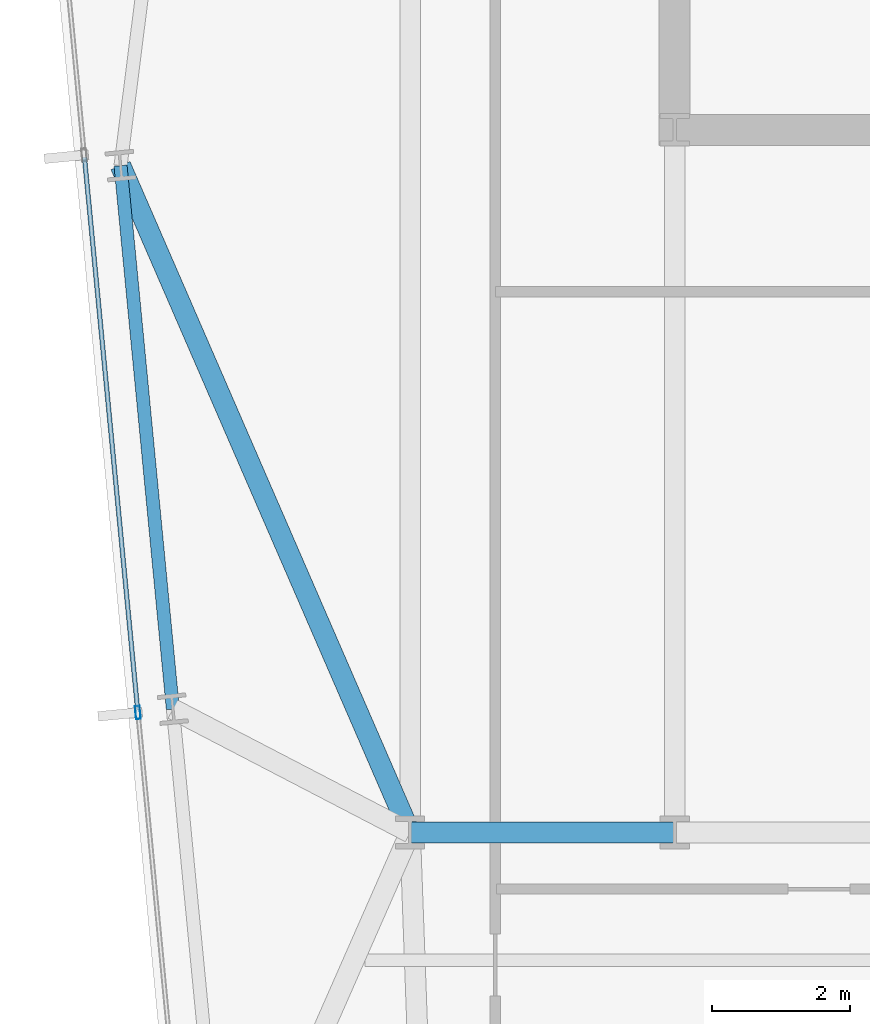
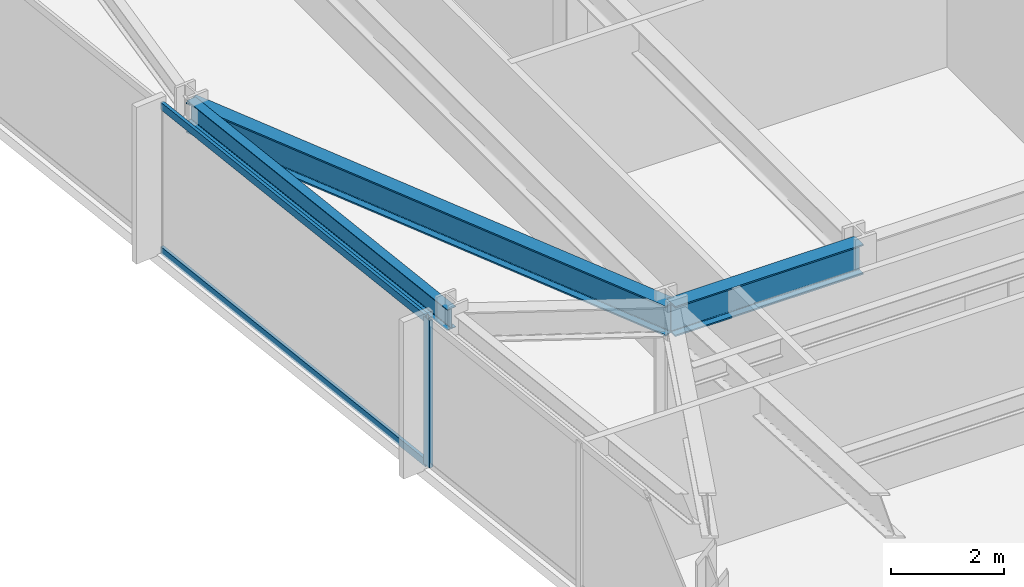
# One storey, part 6 of 32: 3 beams, 3 members, 1 element without a shape of its own.
"""IFC4 building model written with IfcOpenShell, lengths in metres."""

from ifc_helpers import new_model, si_unit, direction, frame, origin, origin_2d, place, context, subcontext, project, spatial, hollow_rectangle, i_section, extrude, material, material_profile, profile_set, type_object, element, aggregate, save


model = new_model("IFC4")

# Units and contexts
model_context = context("Model", 3, precision=1e-05, world=origin(), true_north=direction((0.0, 1.0)))
body_context = subcontext(model_context, "Body", "Model", "MODEL_VIEW")
ifc_project = project(units=[si_unit("LENGTHUNIT", "METRE"), si_unit("AREAUNIT", "SQUARE_METRE"), si_unit("VOLUMEUNIT", "CUBIC_METRE"), si_unit("PLANEANGLEUNIT", "RADIAN"), si_unit("MASSUNIT", "GRAM", prefix="KILO")], contexts=[model_context])

# Site, building, storey
site_placement = place(None, origin())
site = spatial("IfcSite", under=ifc_project, at=site_placement, CompositionType="ELEMENT")
building_placement = place(site_placement, origin())
building = spatial("IfcBuilding", under=site, at=building_placement, Name="Yelkora Congress Tower", CompositionType="ELEMENT")
storey_placement = place(building_placement, frame((0.0, 0.0, 99.89990234375)))
storey = spatial("IfcBuildingStorey", under=building, at=storey_placement, Name="L26", CompositionType="ELEMENT", Elevation=99.89990234375)

# Beams
ifc_material_1 = material(Name="Steel S355J2", Category="steel")
ifc_material_profile_1 = material_profile(ifc_material_1, i_section(OverallWidth=0.300048828125, OverallDepth=0.64990234375, WebThickness=0.01611328125, FlangeThickness=0.031005859375, FilletRadius=0.027099609375, at=origin_2d()), Name="HEB 650")
ifc_profile_set_1 = profile_set([ifc_material_profile_1], Name="Steel S355J2")
beam_type_1 = type_object("IfcBeamType", Name="BM-GIRD-HEB650", PredefinedType="BEAM", material=ifc_profile_set_1)
beam_1_placement = place(storey_placement, frame((19.199951171875, 25.199951171875, 2.85498046875), z_axis=(1.0, 0.0, 0.0), x_axis=(0.0, 1.0, 0.0)))
element("IfcBeam", 1, at=beam_1_placement, inside=storey, type_object=beam_type_1, Name="L26 Spine Grid D Girder 1", PredefinedType="BEAM", context=body_context, shape_type="SweptSolid", body=[
    extrude(i_section(OverallWidth=0.300048828125, OverallDepth=0.64990234375, WebThickness=0.01611328125, FlangeThickness=0.031005859375, FilletRadius=0.027099609375, at=origin_2d()), origin(), (0.0, 0.0, 1.0), 3.840087890625),
])
beam_2_placement = place(storey_placement, frame((14.997314453125, 34.87890625, 2.85498046875), z_axis=(0.398279362914, -0.917264165373, 0.0), x_axis=(0.917264165373, 0.398279362914, 0.0)))
element("IfcBeam", 2, at=beam_2_placement, inside=storey, type_object=beam_type_1, Name="L26 Primary Frame Girder W03", PredefinedType="BEAM", context=body_context, shape_type="SweptSolid", body=[
    extrude(i_section(OverallWidth=0.300048828125, OverallDepth=0.64990234375, WebThickness=0.01611328125, FlangeThickness=0.031005859375, FilletRadius=0.027099609375, at=origin_2d()), origin(), (0.0, 0.0, 1.0), 10.552001953125),
])
ifc_material_profile_2 = material_profile(ifc_material_1, i_section(OverallWidth=0.18994140625, OverallDepth=0.449951171875, WebThickness=0.009521484375, FlangeThickness=0.0146484375, FilletRadius=0.02099609375, at=origin_2d()), Name="IPE 450")
ifc_profile_set_2 = profile_set([ifc_material_profile_2], Name="Steel S355J2")
beam_type_2 = type_object("IfcBeamType", Name="BM-SPAN-IPE450", PredefinedType="SPANDREL", material=ifc_profile_set_2)
beam_3_placement = place(storey_placement, frame((14.997314453125, 34.87890625, 2.955078125), z_axis=(0.095870310714, -0.995393833376, 0.0), x_axis=(0.995393833376, 0.095870310714, 0.0)))
element("IfcBeam", 3, at=beam_3_placement, inside=storey, type_object=beam_type_2, Name="L26 Perimeter Beam 19", PredefinedType="SPANDREL", context=body_context, shape_type="SweptSolid", body=[
    extrude(i_section(OverallWidth=0.18994140625, OverallDepth=0.449951171875, WebThickness=0.009521484375, FlangeThickness=0.0146484375, FilletRadius=0.02099609375, at=origin_2d()), origin(), (0.0, 0.0, 1.0), 7.925048828125),
])

# Curtain wall, members
ifc_material_2 = material(Name="Anodised aluminium and insulated glass", Category="aluminium")
curtain_wall_type = type_object("IfcCurtainWallType", Name="CW-SYS-B2", PredefinedType="NOTDEFINED", material=ifc_material_2)
curtain_wall_placement = place(storey_placement, origin())
curtain_wall = element("IfcCurtainWall", 4, at=curtain_wall_placement, inside=storey, type_object=curtain_wall_type, Name="L26 Unitised Curtain Wall 5", PredefinedType="NOTDEFINED")
ifc_material_3 = material(Name="Anodised aluminium 6063-T6", Category="aluminium")
ifc_material_profile_3 = material_profile(ifc_material_3, hollow_rectangle(XDim=0.070068359375, YDim=0.18994140625, WallThickness=0.00390625, at=origin_2d()), Name="ALU 70x190x4")
ifc_profile_set_3 = profile_set([ifc_material_profile_3], Name="Anodised aluminium 6063-T6")
member_type_1 = type_object("IfcMemberType", Name="MEM-ML-B2", PredefinedType="MULLION", material=ifc_profile_set_3)
member_1_placement = place(storey_placement, frame((15.249267578125, 26.941650390625, 0.0), z_axis=(0.0, 0.0, 1.0), x_axis=(-0.995396507508, -0.095842541913, 0.0)))
member_1 = element("IfcMember", 5, at=member_1_placement, type_object=member_type_1, Name="CW-B2 mullion 3", PredefinedType="MULLION", context=body_context, shape_type="SweptSolid", body=[
    extrude(hollow_rectangle(XDim=0.070068359375, YDim=0.18994140625, WallThickness=0.00390625, at=origin_2d()), origin(), (0.0, 0.0, 1.0), 3.18017578125),
])
ifc_material_profile_4 = material_profile(ifc_material_3, hollow_rectangle(XDim=0.06494140625, YDim=0.159912109375, WallThickness=0.00390625, at=origin_2d()), Name="ALU 65x160x4")
ifc_profile_set_4 = profile_set([ifc_material_profile_4], Name="Anodised aluminium 6063-T6")
member_type_2 = type_object("IfcMemberType", Name="MEM-TR-B2", PredefinedType="USERDEFINED", material=ifc_profile_set_4)
member_2_placement = place(storey_placement, frame((15.245849609375, 26.976318359375, 0.03271484375), z_axis=(-0.095838228465, 0.995396922823, 0.0), x_axis=(-0.995396922823, -0.095838228465, 0.0)))
member_2 = element("IfcMember", 6, at=member_2_placement, type_object=member_type_2, Name="CW-B2 transom 3.1", ObjectType="TRANSOM", PredefinedType="USERDEFINED", context=body_context, shape_type="SweptSolid", body=[
    extrude(hollow_rectangle(XDim=0.06494140625, YDim=0.159912109375, WallThickness=0.00390625, at=origin_2d()), origin(), (0.0, 0.0, 1.0), 8.06005859375),
])
member_3_placement = place(storey_placement, frame((15.245849609375, 26.976318359375, 3.147705078125), z_axis=(-0.095838228465, 0.995396922823, 0.0), x_axis=(-0.995396922823, -0.095838228465, 0.0)))
member_3 = element("IfcMember", 7, at=member_3_placement, type_object=member_type_2, Name="CW-B2 transom 3.2", ObjectType="TRANSOM", PredefinedType="USERDEFINED", context=body_context, shape_type="SweptSolid", body=[
    extrude(hollow_rectangle(XDim=0.06494140625, YDim=0.159912109375, WallThickness=0.00390625, at=origin_2d()), origin(), (0.0, 0.0, 1.0), 8.06005859375),
])
aggregate(curtain_wall, [member_1, member_2, member_3])

save(model, "model.ifc")
